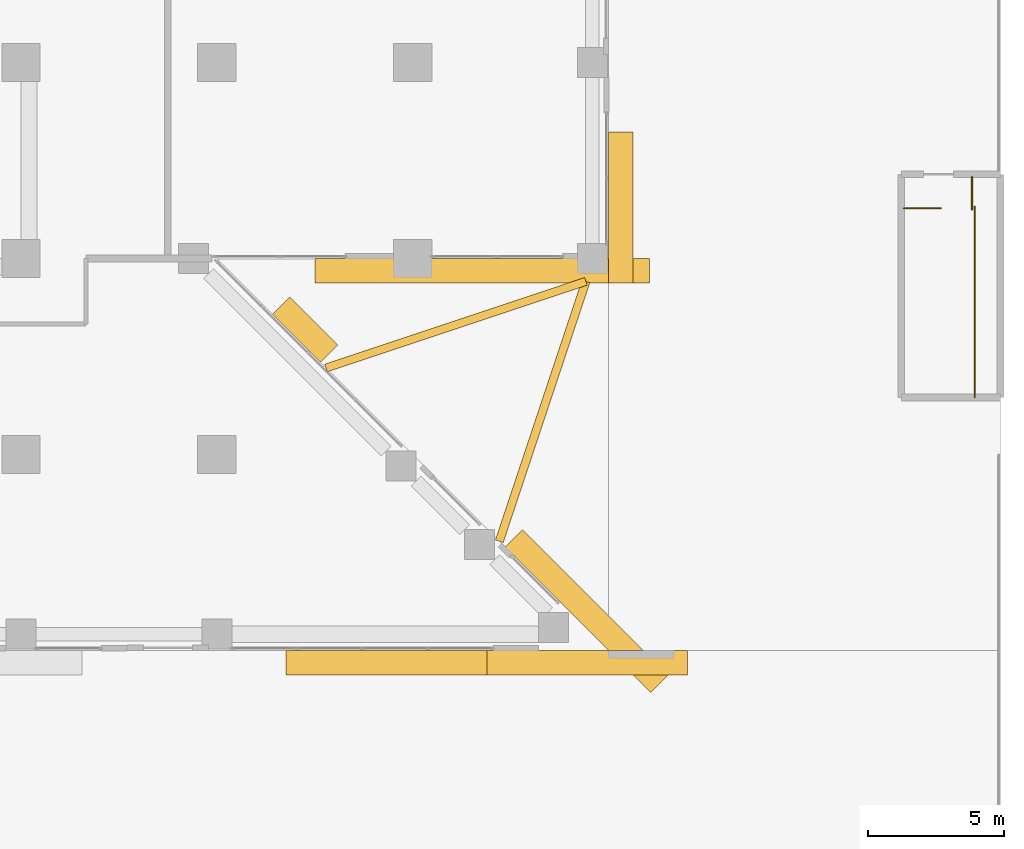
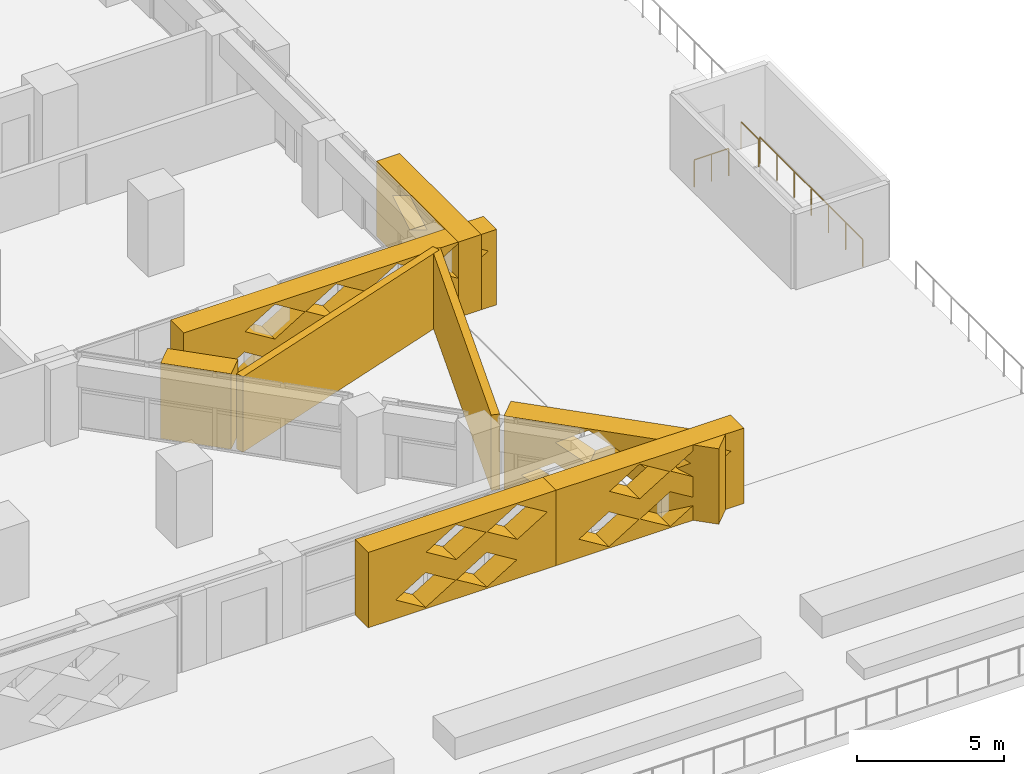
# One storey, part 23 of 24: 8 coverings, 3 railings.
"""IFC4 building model written with IfcOpenShell, lengths in metres."""

from ifc_helpers import new_model, si_unit, direction, frame, origin, origin_2d, place, context, subcontext, project, spatial, polyline, circle, outline, extrude, material, layer, layer_set, type_object, element, save


model = new_model("IFC4")

# Units and contexts
model_context = context("Model", 3, precision=1e-05, world=origin(), true_north=direction((0.0, 1.0)))
body_context = subcontext(model_context, "Body", "Model", "MODEL_VIEW")
ifc_project = project(units=[si_unit("LENGTHUNIT", "METRE"), si_unit("AREAUNIT", "SQUARE_METRE"), si_unit("VOLUMEUNIT", "CUBIC_METRE"), si_unit("PLANEANGLEUNIT", "RADIAN"), si_unit("MASSUNIT", "GRAM", prefix="KILO")], contexts=[model_context])

# Site, building, storey
site_placement = place(None, origin())
site = spatial("IfcSite", under=ifc_project, at=site_placement, CompositionType="ELEMENT")
building_placement = place(site_placement, origin())
building = spatial("IfcBuilding", under=site, at=building_placement, Name="Saffron Iwan Residences", CompositionType="ELEMENT")
storey_placement = place(building_placement, frame((0.0, 0.0, 27.0)))
storey = spatial("IfcBuildingStorey", under=building, at=storey_placement, Name="L05", CompositionType="ELEMENT", Elevation=27.0)

# Coverings
ifc_material_1 = material(Name="Precast concrete C40/50", Category="concrete")
covering_type_1 = type_object("IfcCoveringType", Name="OUTER SKIN LATTICE SCREEN", PredefinedType="CLADDING", material=ifc_material_1)
covering_1_placement = place(storey_placement, frame((87.939453125, 32.060546875, 0.050048828125), z_axis=(0.706971125213, 0.70724241114, 0.0), x_axis=(-0.70724241114, 0.706971125213, 0.0)))
element("IfcCovering", 1, at=covering_1_placement, inside=storey, type_object=covering_type_1, Name="OUTER SKIN lattice screen L05 F0.0", PredefinedType="CLADDING", context=body_context, shape_type="SweptSolid", body=[
    extrude(outline(polyline([(0.0, 0.0), (7.559326171875, 0.0), (7.559326171875, 3.1298828125), (0.0, 3.1298828125), (0.0, 0.0)]), holes=[polyline([(2.197021484375, 0.782470703125), (3.377197265625, 0.06005859375), (4.55712890625, 0.782470703125), (3.377197265625, 1.5048828125), (2.197021484375, 0.782470703125)]), polyline([(4.59716796875, 0.782470703125), (5.777099609375, 0.06005859375), (6.95703125, 0.782470703125), (5.777099609375, 1.5048828125), (4.59716796875, 0.782470703125)]), polyline([(0.9970703125, 2.347412109375), (2.177001953125, 1.625), (3.357177734375, 2.347412109375), (2.177001953125, 3.070068359375), (0.9970703125, 2.347412109375)]), polyline([(3.397216796875, 2.347412109375), (4.5771484375, 1.625), (5.757080078125, 2.347412109375), (4.5771484375, 3.070068359375), (3.397216796875, 2.347412109375)])]), origin(), (0.0, 0.0, 1.0), 0.89990234375),
])
covering_2_placement = place(storey_placement, frame((75.805908203125, 44.194091796875, 0.050048828125), z_axis=(0.707106781187, 0.707106781187, 0.0), x_axis=(-0.707106781187, 0.707106781187, 0.0)))
element("IfcCovering", 2, at=covering_2_placement, inside=storey, type_object=covering_type_1, Name="OUTER SKIN lattice screen L05 F0.1", PredefinedType="CLADDING", context=body_context, shape_type="SweptSolid", body=[
    extrude(outline(polyline([(0.0, 0.0), (2.4853515625, 0.0), (2.4853515625, 3.1298828125), (0.0, 3.1298828125), (0.0, 0.0)])), origin(), (0.0, 0.0, 1.0), 0.900146484375),
])
covering_3_placement = place(storey_placement, frame((75.6171875, 48.0, 0.050048828125), z_axis=(0.0, -1.0, 0.0), x_axis=(1.0, 0.0, 0.0)))
element("IfcCovering", 3, at=covering_3_placement, inside=storey, type_object=covering_type_1, Name="OUTER SKIN lattice screen L05 F1.0", PredefinedType="CLADDING", context=body_context, shape_type="SweptSolid", body=[
    extrude(outline(polyline([(0.0, 0.0), (12.282958984375, 0.0), (12.282958984375, 3.1298828125), (0.0, 3.1298828125), (0.0, 0.0)]), holes=[polyline([(1.202880859375, 0.782470703125), (2.3828125, 0.06005859375), (3.56298828125, 0.782470703125), (2.3828125, 1.5048828125), (1.202880859375, 0.782470703125)]), polyline([(3.602783203125, 0.782470703125), (4.782958984375, 0.06005859375), (5.962890625, 0.782470703125), (4.782958984375, 1.5048828125), (3.602783203125, 0.782470703125)]), polyline([(6.0029296875, 0.782470703125), (7.182861328125, 0.06005859375), (8.36279296875, 0.782470703125), (7.182861328125, 1.5048828125), (6.0029296875, 0.782470703125)]), polyline([(8.40283203125, 0.782470703125), (9.5830078125, 0.06005859375), (10.762939453125, 0.782470703125), (9.5830078125, 1.5048828125), (8.40283203125, 0.782470703125)]), polyline([(2.40283203125, 2.347412109375), (3.5830078125, 1.625), (4.762939453125, 2.347412109375), (3.5830078125, 3.070068359375), (2.40283203125, 2.347412109375)]), polyline([(4.802978515625, 2.347412109375), (5.98291015625, 1.625), (7.162841796875, 2.347412109375), (5.98291015625, 3.070068359375), (4.802978515625, 2.347412109375)]), polyline([(7.202880859375, 2.347412109375), (8.3828125, 1.625), (9.56298828125, 2.347412109375), (8.3828125, 3.070068359375), (7.202880859375, 2.347412109375)]), polyline([(9.602783203125, 2.347412109375), (10.782958984375, 1.625), (11.962890625, 2.347412109375), (10.782958984375, 3.070068359375), (9.602783203125, 2.347412109375)])]), origin(), (0.0, 0.0, 1.0), 0.89990234375),
])
covering_4_placement = place(storey_placement, frame((86.39990234375, 47.10009765625, 0.050048828125), z_axis=(1.0, 0.0, 0.0), x_axis=(0.0, 1.0, 0.0)))
element("IfcCovering", 4, at=covering_4_placement, inside=storey, type_object=covering_type_1, Name="OUTER SKIN lattice screen L05 F2.0", PredefinedType="CLADDING", context=body_context, shape_type="SweptSolid", body=[
    extrude(outline(polyline([(0.0, 0.0), (5.550048828125, 0.0), (5.550048828125, 3.1298828125), (0.0, 3.1298828125), (0.0, 0.0)]), holes=[polyline([(0.919921875, 0.782470703125), (2.10009765625, 0.06005859375), (3.280029296875, 0.782470703125), (2.10009765625, 1.5048828125), (0.919921875, 0.782470703125)]), polyline([(2.1201171875, 2.347412109375), (3.300048828125, 1.625), (4.47998046875, 2.347412109375), (3.300048828125, 3.070068359375), (2.1201171875, 2.347412109375)])]), origin(), (0.0, 0.0, 1.0), 0.900146484375),
])
covering_5_placement = place(storey_placement, frame((74.550048828125, 33.60009765625, 0.050048828125), z_axis=(0.0, -1.0, 0.0), x_axis=(1.0, 0.0, 0.0)))
element("IfcCovering", 5, at=covering_5_placement, inside=storey, type_object=covering_type_1, Name="OUTER SKIN lattice screen L05 F11.3", PredefinedType="CLADDING", context=body_context, shape_type="SweptSolid", body=[
    extrude(outline(polyline([(0.0, 0.0), (7.37353515625, 0.0), (7.37353515625, 3.1298828125), (0.0, 3.1298828125), (0.0, 0.0)]), holes=[polyline([(1.070068359375, 0.782470703125), (2.25, 0.06005859375), (3.429931640625, 0.782470703125), (2.25, 1.5048828125), (1.070068359375, 0.782470703125)]), polyline([(3.469970703125, 0.782470703125), (4.64990234375, 0.06005859375), (5.830078125, 0.782470703125), (4.64990234375, 1.5048828125), (3.469970703125, 0.782470703125)]), polyline([(2.27001953125, 2.347412109375), (3.449951171875, 1.625), (4.6298828125, 2.347412109375), (3.449951171875, 3.070068359375), (2.27001953125, 2.347412109375)]), polyline([(4.669921875, 2.347412109375), (5.85009765625, 1.625), (7.030029296875, 2.347412109375), (5.85009765625, 3.070068359375), (4.669921875, 2.347412109375)])]), origin(), (0.0, 0.0, 1.0), 0.900146484375),
])
covering_6_placement = place(storey_placement, frame((81.923583984375, 33.60009765625, 0.050048828125), z_axis=(0.0, -1.0, 0.0), x_axis=(1.0, 0.0, 0.0)))
element("IfcCovering", 6, at=covering_6_placement, inside=storey, type_object=covering_type_1, Name="OUTER SKIN lattice screen L05 F11.4", PredefinedType="CLADDING", context=body_context, shape_type="SweptSolid", body=[
    extrude(outline(polyline([(0.0, 0.0), (7.37353515625, 0.0), (7.37353515625, 3.1298828125), (0.0, 3.1298828125), (0.0, 0.0)]), holes=[polyline([(0.896484375, 0.782470703125), (2.076416015625, 0.06005859375), (3.256591796875, 0.782470703125), (2.076416015625, 1.5048828125), (0.896484375, 0.782470703125)]), polyline([(3.29638671875, 0.782470703125), (4.4765625, 0.06005859375), (5.656494140625, 0.782470703125), (4.4765625, 1.5048828125), (3.29638671875, 0.782470703125)]), polyline([(2.096435546875, 2.347412109375), (3.276611328125, 1.625), (4.45654296875, 2.347412109375), (3.276611328125, 3.070068359375), (2.096435546875, 2.347412109375)]), polyline([(4.49658203125, 2.347412109375), (5.676513671875, 1.625), (6.8564453125, 2.347412109375), (5.676513671875, 3.070068359375), (4.49658203125, 2.347412109375)])]), origin(), (0.0, 0.0, 1.0), 0.900146484375),
])
ifc_material_2 = material(Name="Precast concrete C40/50 white painted", Category="concrete")
ifc_layer = layer(ifc_material_2, 0.300048828125)
ifc_layer_set = layer_set([ifc_layer], Name="Precast concrete C40/50 white painted")
covering_type_2 = type_object("IfcCoveringType", Name="PROW NOSE BLADE PRECAST WHITE", PredefinedType="CLADDING", material=ifc_layer_set)
covering_7_placement = place(storey_placement, frame((0.0, 0.0, 0.050048828125)))
element("IfcCovering", 7, at=covering_7_placement, inside=storey, type_object=covering_type_2, Name="Prow nose blade L05 a", PredefinedType="CLADDING", context=body_context, shape_type="SweptSolid", body=[
    extrude(outline(polyline([(82.5244140625, 37.570556640625), (85.706298828125, 47.116455078125), (85.421630859375, 47.21142578125), (82.23974609375, 37.66552734375), (82.5244140625, 37.570556640625)])), origin(), (0.0, 0.0, 1.0), 3.1298828125),
])
covering_8_placement = place(storey_placement, frame((0.0, 0.0, 0.050048828125)))
element("IfcCovering", 8, at=covering_8_placement, inside=storey, type_object=covering_type_2, Name="Prow nose blade L05 b", PredefinedType="CLADDING", context=body_context, shape_type="SweptSolid", body=[
    extrude(outline(polyline([(76.0654296875, 43.839599609375), (85.611328125, 47.021728515625), (85.5166015625, 47.306396484375), (75.970703125, 44.124267578125), (76.0654296875, 43.839599609375)])), origin(), (0.0, 0.0, 1.0), 3.1298828125),
])

# Railings
ifc_material_3 = material(Name="Steel S355", Category="steel")
railing_type = type_object("IfcRailingType", Name="Podium stair guard 1150", PredefinedType="GUARDRAIL", material=ifc_material_3)
railing_1_placement = place(storey_placement, frame((97.25, 49.85009765625, 0.0)))
element("IfcRailing", 9, at=railing_1_placement, inside=storey, type_object=railing_type, Name="L05 PS2 top well guard 1", PredefinedType="GUARDRAIL", context=body_context, shape_type="SweptSolid", body=[
    extrude(circle(Radius=0.02392578125, at=origin_2d()), frame((0.0, 0.0, 1.1259765625), z_axis=(1.0, 0.0, 0.0), x_axis=(0.0, 1.0, 0.0)), (0.0, 0.0, 1.0), 1.35009765625),
    extrude(circle(Radius=0.02099609375, at=origin_2d()), origin(), (0.0, 0.0, 1.0), 1.101806640625),
    extrude(circle(Radius=0.02099609375, at=origin_2d()), frame((0.675048828125, 0.0, 0.0)), (0.0, 0.0, 1.0), 1.101806640625),
    extrude(circle(Radius=0.02099609375, at=origin_2d()), frame((1.35009765625, 0.0, 0.0)), (0.0, 0.0, 1.0), 1.101806640625),
])
railing_2_placement = place(storey_placement, frame((99.85009765625, 49.89990234375, 0.0)))
element("IfcRailing", 10, at=railing_2_placement, inside=storey, type_object=railing_type, Name="L05 PS2 top well guard 2", PredefinedType="GUARDRAIL", context=body_context, shape_type="SweptSolid", body=[
    extrude(circle(Radius=0.02392578125, at=origin_2d()), frame((0.0, 0.0, 1.1259765625), z_axis=(0.0, -1.0, 0.0), x_axis=(1.0, 0.0, 0.0)), (0.0, 0.0, 1.0), 7.0),
    extrude(circle(Radius=0.02099609375, at=origin_2d()), origin(), (0.0, 0.0, 1.0), 1.101806640625),
    extrude(circle(Radius=0.02099609375, at=origin_2d()), frame((0.0, -1.166748046875, 0.0)), (0.0, 0.0, 1.0), 1.101806640625),
    extrude(circle(Radius=0.02099609375, at=origin_2d()), frame((0.0, -2.333251953125, 0.0)), (0.0, 0.0, 1.0), 1.101806640625),
    extrude(circle(Radius=0.02099609375, at=origin_2d()), frame((0.0, -3.5, 0.0)), (0.0, 0.0, 1.0), 1.101806640625),
    extrude(circle(Radius=0.02099609375, at=origin_2d()), frame((0.0, -4.666748046875, 0.0)), (0.0, 0.0, 1.0), 1.101806640625),
    extrude(circle(Radius=0.02099609375, at=origin_2d()), frame((0.0, -5.833251953125, 0.0)), (0.0, 0.0, 1.0), 1.101806640625),
    extrude(circle(Radius=0.02099609375, at=origin_2d()), frame((0.0, -7.0, 0.0)), (0.0, 0.0, 1.0), 1.101806640625),
])
railing_3_placement = place(storey_placement, frame((99.75, 51.0, 0.0)))
element("IfcRailing", 11, at=railing_3_placement, inside=storey, type_object=railing_type, Name="L05 PS2 top well guard 3", PredefinedType="GUARDRAIL", context=body_context, shape_type="SweptSolid", body=[
    extrude(circle(Radius=0.02392578125, at=origin_2d()), frame((0.0, 0.0, 1.1259765625), z_axis=(0.0, -1.0, 0.0), x_axis=(1.0, 0.0, 0.0)), (0.0, 0.0, 1.0), 1.199951171875),
    extrude(circle(Radius=0.02099609375, at=origin_2d()), origin(), (0.0, 0.0, 1.0), 1.101806640625),
    extrude(circle(Radius=0.02099609375, at=origin_2d()), frame((0.0, -1.199951171875, 0.0)), (0.0, 0.0, 1.0), 1.101806640625),
])

save(model, "model.ifc")
